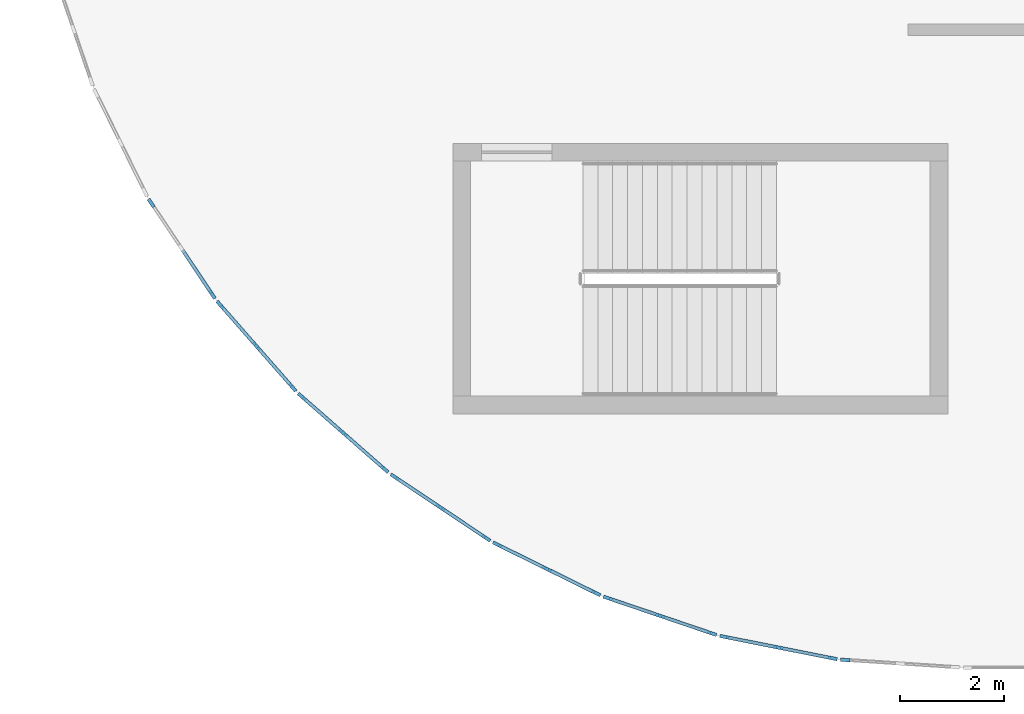
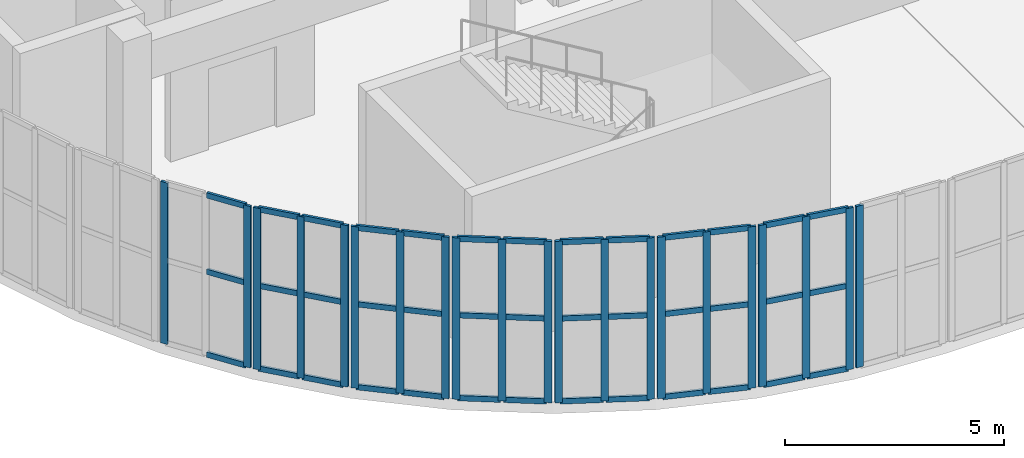
# One storey, part 2 of 28: 60 members, 8 elements without a shape of their own.
"""IFC4 building model written with IfcOpenShell, lengths in metres."""

from ifc_helpers import new_model, si_unit, direction, frame, origin, origin_2d, place, context, subcontext, project, spatial, rectangle, extrude, material, layer, layer_set, material_profile, profile_set, type_object, element, aggregate, save


model = new_model("IFC4")

# Units and contexts
model_context = context("Model", 3, precision=1e-05, world=origin(), true_north=direction((0.0, 1.0)))
body_context = subcontext(model_context, "Body", "Model", "MODEL_VIEW")
ifc_project = project(units=[si_unit("LENGTHUNIT", "METRE"), si_unit("AREAUNIT", "SQUARE_METRE"), si_unit("VOLUMEUNIT", "CUBIC_METRE"), si_unit("PLANEANGLEUNIT", "RADIAN"), si_unit("MASSUNIT", "GRAM", prefix="KILO")], contexts=[model_context])

# Site, building, storey
site_placement = place(None, origin())
site = spatial("IfcSite", under=ifc_project, at=site_placement, CompositionType="ELEMENT")
building_placement = place(site_placement, origin())
building = spatial("IfcBuilding", under=site, at=building_placement, Name="Cendralis Terraced Arcade", CompositionType="ELEMENT")
storey_placement = place(building_placement, frame((0.0, 0.0, 24.60009765625)))
storey = spatial("IfcBuildingStorey", under=building, at=storey_placement, Name="L05", CompositionType="ELEMENT", Elevation=24.60009765625)

# Curtain wall, member
ifc_material = material(Name="Anodised aluminium EN AW-6063 T6", Category="aluminium")
ifc_layer = layer(ifc_material, 0.179931640625, Name="CW-UNIT-A")
ifc_layer_set = layer_set([ifc_layer], Name="Anodised aluminium EN AW-6063 T6")
curtain_wall_type = type_object("IfcCurtainWallType", Name="CW-UNIT-A", PredefinedType="USERDEFINED", material=ifc_layer_set)
curtain_wall_1_placement = place(storey_placement, origin())
curtain_wall_1 = element("IfcCurtainWall", 1, at=curtain_wall_1_placement, inside=storey, type_object=curtain_wall_type, Name="Exterior Unitised Facade CW-L05-0417", ObjectType="UNITISED FACADE", PredefinedType="USERDEFINED")
ifc_material_profile_1 = material_profile(ifc_material, rectangle(XDim=0.06494140625, YDim=0.179931640625, at=origin_2d()), Name="ALU-MUL-65x180")
ifc_profile_set_1 = profile_set([ifc_material_profile_1], Name="Anodised aluminium EN AW-6063 T6")
member_type_1 = type_object("IfcMemberType", Name="CW-UNIT-A-MUL", PredefinedType="MULLION", material=ifc_profile_set_1)
member_1_placement = place(storey_placement, frame((20.772705078125, 5.14599609375, 0.0), z_axis=(0.0, 0.0, 1.0), x_axis=(-0.065392707503, -0.99785960626, 0.0)))
member_1 = element("IfcMember", 2, at=member_1_placement, type_object=member_type_1, Name="CW-U1 mullion 3", PredefinedType="MULLION", context=body_context, shape_type="SweptSolid", body=[
    extrude(rectangle(XDim=0.06494140625, YDim=0.179931640625, at=origin_2d()), origin(), (0.0, 0.0, 1.0), 4.510009765625),
])
aggregate(curtain_wall_1, [member_1])

# Curtain wall, members
curtain_wall_2_placement = place(storey_placement, origin())
curtain_wall_2 = element("IfcCurtainWall", 3, at=curtain_wall_2_placement, inside=storey, type_object=curtain_wall_type, Name="Exterior Unitised Facade CW-L05-0418", ObjectType="UNITISED FACADE", PredefinedType="USERDEFINED")
member_2_placement = place(storey_placement, frame((20.5302734375, 5.177978515625, 0.0), z_axis=(0.0, 0.0, 1.0), x_axis=(-0.195045853998, -0.980794124594, 0.0)))
member_2 = element("IfcMember", 4, at=member_2_placement, type_object=member_type_1, Name="CW-U1 mullion 1", PredefinedType="MULLION", context=body_context, shape_type="SweptSolid", body=[
    extrude(rectangle(XDim=0.06494140625, YDim=0.179931640625, at=origin_2d()), origin(), (0.0, 0.0, 1.0), 4.510009765625),
])
member_3_placement = place(storey_placement, frame((19.495849609375, 5.383544921875, 0.0), z_axis=(0.0, 0.0, 1.0), x_axis=(-0.195045853998, -0.980794124594, 0.0)))
member_3 = element("IfcMember", 5, at=member_3_placement, type_object=member_type_1, Name="CW-U1 mullion 2", PredefinedType="MULLION", context=body_context, shape_type="SweptSolid", body=[
    extrude(rectangle(XDim=0.06494140625, YDim=0.179931640625, at=origin_2d()), origin(), (0.0, 0.0, 1.0), 4.510009765625),
])
member_4_placement = place(storey_placement, frame((18.46142578125, 5.58935546875, 0.0), z_axis=(0.0, 0.0, 1.0), x_axis=(-0.195045853998, -0.980794124594, 0.0)))
member_4 = element("IfcMember", 6, at=member_4_placement, type_object=member_type_1, Name="CW-U1 mullion 3", PredefinedType="MULLION", context=body_context, shape_type="SweptSolid", body=[
    extrude(rectangle(XDim=0.06494140625, YDim=0.179931640625, at=origin_2d()), origin(), (0.0, 0.0, 1.0), 4.510009765625),
])

curtain_wall_3_placement = place(storey_placement, origin())
curtain_wall_3 = element("IfcCurtainWall", 7, at=curtain_wall_3_placement, inside=storey, type_object=curtain_wall_type, Name="Exterior Unitised Facade CW-L05-0419", ObjectType="UNITISED FACADE", PredefinedType="USERDEFINED")
member_5_placement = place(storey_placement, frame((18.225341796875, 5.652587890625, 0.0), z_axis=(0.0, 0.0, 1.0), x_axis=(-0.321478962554, -0.946916721066, 0.0)))
member_5 = element("IfcMember", 8, at=member_5_placement, type_object=member_type_1, Name="CW-U1 mullion 1", PredefinedType="MULLION", context=body_context, shape_type="SweptSolid", body=[
    extrude(rectangle(XDim=0.06494140625, YDim=0.179931640625, at=origin_2d()), origin(), (0.0, 0.0, 1.0), 4.510009765625),
])
member_6_placement = place(storey_placement, frame((17.2265625, 5.99169921875, 0.0), z_axis=(0.0, 0.0, 1.0), x_axis=(-0.321478962554, -0.946916721066, 0.0)))
member_6 = element("IfcMember", 9, at=member_6_placement, type_object=member_type_1, Name="CW-U1 mullion 2", PredefinedType="MULLION", context=body_context, shape_type="SweptSolid", body=[
    extrude(rectangle(XDim=0.06494140625, YDim=0.179931640625, at=origin_2d()), origin(), (0.0, 0.0, 1.0), 4.510009765625),
])
member_7_placement = place(storey_placement, frame((16.227783203125, 6.330810546875, 0.0), z_axis=(0.0, 0.0, 1.0), x_axis=(-0.321478962554, -0.946916721066, 0.0)))
member_7 = element("IfcMember", 10, at=member_7_placement, type_object=member_type_1, Name="CW-U1 mullion 3", PredefinedType="MULLION", context=body_context, shape_type="SweptSolid", body=[
    extrude(rectangle(XDim=0.06494140625, YDim=0.179931640625, at=origin_2d()), origin(), (0.0, 0.0, 1.0), 4.510009765625),
])

curtain_wall_4_placement = place(storey_placement, origin())
curtain_wall_4 = element("IfcCurtainWall", 11, at=curtain_wall_4_placement, inside=storey, type_object=curtain_wall_type, Name="Exterior Unitised Facade CW-L05-0420", ObjectType="UNITISED FACADE", PredefinedType="USERDEFINED")
member_8_placement = place(storey_placement, frame((16.001953125, 6.42431640625, 0.0), z_axis=(0.0, 0.0, 1.0), x_axis=(-0.442258533133, -0.896887612731, 0.0)))
member_8 = element("IfcMember", 12, at=member_8_placement, type_object=member_type_1, Name="CW-U1 mullion 1", PredefinedType="MULLION", context=body_context, shape_type="SweptSolid", body=[
    extrude(rectangle(XDim=0.06494140625, YDim=0.179931640625, at=origin_2d()), origin(), (0.0, 0.0, 1.0), 4.510009765625),
])
member_9_placement = place(storey_placement, frame((15.055908203125, 6.890869140625, 0.0), z_axis=(0.0, 0.0, 1.0), x_axis=(-0.442258533133, -0.896887612731, 0.0)))
member_9 = element("IfcMember", 13, at=member_9_placement, type_object=member_type_1, Name="CW-U1 mullion 2", PredefinedType="MULLION", context=body_context, shape_type="SweptSolid", body=[
    extrude(rectangle(XDim=0.06494140625, YDim=0.179931640625, at=origin_2d()), origin(), (0.0, 0.0, 1.0), 4.510009765625),
])
member_10_placement = place(storey_placement, frame((14.10986328125, 7.357421875, 0.0), z_axis=(0.0, 0.0, 1.0), x_axis=(-0.442258533133, -0.896887612731, 0.0)))
member_10 = element("IfcMember", 14, at=member_10_placement, type_object=member_type_1, Name="CW-U1 mullion 3", PredefinedType="MULLION", context=body_context, shape_type="SweptSolid", body=[
    extrude(rectangle(XDim=0.06494140625, YDim=0.179931640625, at=origin_2d()), origin(), (0.0, 0.0, 1.0), 4.510009765625),
])

curtain_wall_5_placement = place(storey_placement, origin())
curtain_wall_5 = element("IfcCurtainWall", 15, at=curtain_wall_5_placement, inside=storey, type_object=curtain_wall_type, Name="Exterior Unitised Facade CW-L05-0421", ObjectType="UNITISED FACADE", PredefinedType="USERDEFINED")
member_11_placement = place(storey_placement, frame((13.898193359375, 7.4794921875, 0.0), z_axis=(0.0, 0.0, 1.0), x_axis=(-0.555559488738, -0.831476791301, 0.0)))
member_11 = element("IfcMember", 16, at=member_11_placement, type_object=member_type_1, Name="CW-U1 mullion 1", PredefinedType="MULLION", context=body_context, shape_type="SweptSolid", body=[
    extrude(rectangle(XDim=0.06494140625, YDim=0.179931640625, at=origin_2d()), origin(), (0.0, 0.0, 1.0), 4.510009765625),
])
member_12_placement = place(storey_placement, frame((13.021240234375, 8.0654296875, 0.0), z_axis=(0.0, 0.0, 1.0), x_axis=(-0.555559488738, -0.831476791301, 0.0)))
member_12 = element("IfcMember", 17, at=member_12_placement, type_object=member_type_1, Name="CW-U1 mullion 2", PredefinedType="MULLION", context=body_context, shape_type="SweptSolid", body=[
    extrude(rectangle(XDim=0.06494140625, YDim=0.179931640625, at=origin_2d()), origin(), (0.0, 0.0, 1.0), 4.510009765625),
])
member_13_placement = place(storey_placement, frame((12.14404296875, 8.651611328125, 0.0), z_axis=(0.0, 0.0, 1.0), x_axis=(-0.555559488738, -0.831476791301, 0.0)))
member_13 = element("IfcMember", 18, at=member_13_placement, type_object=member_type_1, Name="CW-U1 mullion 3", PredefinedType="MULLION", context=body_context, shape_type="SweptSolid", body=[
    extrude(rectangle(XDim=0.06494140625, YDim=0.179931640625, at=origin_2d()), origin(), (0.0, 0.0, 1.0), 4.510009765625),
])

curtain_wall_6_placement = place(storey_placement, origin())
curtain_wall_6 = element("IfcCurtainWall", 19, at=curtain_wall_6_placement, inside=storey, type_object=curtain_wall_type, Name="Exterior Unitised Facade CW-L05-0422", ObjectType="UNITISED FACADE", PredefinedType="USERDEFINED")
member_14_placement = place(storey_placement, frame((11.9501953125, 8.80029296875, 0.0), z_axis=(0.0, 0.0, 1.0), x_axis=(-0.659402709672, -0.75178990847, 0.0)))
member_14 = element("IfcMember", 20, at=member_14_placement, type_object=member_type_1, Name="CW-U1 mullion 1", PredefinedType="MULLION", context=body_context, shape_type="SweptSolid", body=[
    extrude(rectangle(XDim=0.06494140625, YDim=0.179931640625, at=origin_2d()), origin(), (0.0, 0.0, 1.0), 4.510009765625),
])
member_15_placement = place(storey_placement, frame((11.1572265625, 9.495849609375, 0.0), z_axis=(0.0, 0.0, 1.0), x_axis=(-0.659402709672, -0.75178990847, 0.0)))
member_15 = element("IfcMember", 21, at=member_15_placement, type_object=member_type_1, Name="CW-U1 mullion 2", PredefinedType="MULLION", context=body_context, shape_type="SweptSolid", body=[
    extrude(rectangle(XDim=0.06494140625, YDim=0.179931640625, at=origin_2d()), origin(), (0.0, 0.0, 1.0), 4.510009765625),
])
member_16_placement = place(storey_placement, frame((10.3642578125, 10.19140625, 0.0), z_axis=(0.0, 0.0, 1.0), x_axis=(-0.659402709672, -0.75178990847, 0.0)))
member_16 = element("IfcMember", 22, at=member_16_placement, type_object=member_type_1, Name="CW-U1 mullion 3", PredefinedType="MULLION", context=body_context, shape_type="SweptSolid", body=[
    extrude(rectangle(XDim=0.06494140625, YDim=0.179931640625, at=origin_2d()), origin(), (0.0, 0.0, 1.0), 4.510009765625),
])

curtain_wall_7_placement = place(storey_placement, origin())
curtain_wall_7 = element("IfcCurtainWall", 23, at=curtain_wall_7_placement, inside=storey, type_object=curtain_wall_type, Name="Exterior Unitised Facade CW-L05-0423", ObjectType="UNITISED FACADE", PredefinedType="USERDEFINED")
member_17_placement = place(storey_placement, frame((10.19140625, 10.3642578125, 0.0), z_axis=(0.0, 0.0, 1.0), x_axis=(-0.75178990847, -0.659402709672, 0.0)))
member_17 = element("IfcMember", 24, at=member_17_placement, type_object=member_type_1, Name="CW-U1 mullion 1", PredefinedType="MULLION", context=body_context, shape_type="SweptSolid", body=[
    extrude(rectangle(XDim=0.06494140625, YDim=0.179931640625, at=origin_2d()), origin(), (0.0, 0.0, 1.0), 4.510009765625),
])
member_18_placement = place(storey_placement, frame((9.495849609375, 11.1572265625, 0.0), z_axis=(0.0, 0.0, 1.0), x_axis=(-0.75178990847, -0.659402709672, 0.0)))
member_18 = element("IfcMember", 25, at=member_18_placement, type_object=member_type_1, Name="CW-U1 mullion 2", PredefinedType="MULLION", context=body_context, shape_type="SweptSolid", body=[
    extrude(rectangle(XDim=0.06494140625, YDim=0.179931640625, at=origin_2d()), origin(), (0.0, 0.0, 1.0), 4.510009765625),
])
member_19_placement = place(storey_placement, frame((8.80029296875, 11.9501953125, 0.0), z_axis=(0.0, 0.0, 1.0), x_axis=(-0.75178990847, -0.659402709672, 0.0)))
member_19 = element("IfcMember", 26, at=member_19_placement, type_object=member_type_1, Name="CW-U1 mullion 3", PredefinedType="MULLION", context=body_context, shape_type="SweptSolid", body=[
    extrude(rectangle(XDim=0.06494140625, YDim=0.179931640625, at=origin_2d()), origin(), (0.0, 0.0, 1.0), 4.510009765625),
])

curtain_wall_8_placement = place(storey_placement, origin())
curtain_wall_8 = element("IfcCurtainWall", 27, at=curtain_wall_8_placement, inside=storey, type_object=curtain_wall_type, Name="Exterior Unitised Facade CW-L05-0424", ObjectType="UNITISED FACADE", PredefinedType="USERDEFINED")
member_20_placement = place(storey_placement, frame((8.651611328125, 12.14404296875, 0.0), z_axis=(0.0, 0.0, 1.0), x_axis=(-0.831476791301, -0.555559488738, 0.0)))
member_20 = element("IfcMember", 28, at=member_20_placement, type_object=member_type_1, Name="CW-U1 mullion 1", PredefinedType="MULLION", context=body_context, shape_type="SweptSolid", body=[
    extrude(rectangle(XDim=0.06494140625, YDim=0.179931640625, at=origin_2d()), origin(), (0.0, 0.0, 1.0), 4.510009765625),
])
member_21_placement = place(storey_placement, frame((7.4794921875, 13.898193359375, 0.0), z_axis=(0.0, 0.0, 1.0), x_axis=(-0.831476791301, -0.555559488738, 0.0)))
member_21 = element("IfcMember", 29, at=member_21_placement, type_object=member_type_1, Name="CW-U1 mullion 3", PredefinedType="MULLION", context=body_context, shape_type="SweptSolid", body=[
    extrude(rectangle(XDim=0.06494140625, YDim=0.179931640625, at=origin_2d()), origin(), (0.0, 0.0, 1.0), 4.510009765625),
])

# Member
ifc_material_profile_2 = material_profile(ifc_material, rectangle(XDim=0.06494140625, YDim=0.14990234375, at=origin_2d()), Name="ALU-TRN-65x150")
ifc_profile_set_2 = profile_set([ifc_material_profile_2], Name="Anodised aluminium EN AW-6063 T6")
member_type_2 = type_object("IfcMemberType", Name="CW-UNIT-A-TRN", PredefinedType="USERDEFINED", material=ifc_profile_set_2)
member_22_placement = place(storey_placement, frame((20.49853515625, 5.184326171875, 0.032470703125), z_axis=(-0.980826586714, 0.194882546153, 0.0), x_axis=(-0.194882546153, -0.980826586714, 0.0)))
member_22 = element("IfcMember", 30, at=member_22_placement, type_object=member_type_2, Name="CW-U1 transom 1.1", ObjectType="TRANSOM", PredefinedType="USERDEFINED", context=body_context, shape_type="SweptSolid", body=[
    extrude(rectangle(XDim=0.06494140625, YDim=0.14990234375, at=origin_2d()), origin(), (0.0, 0.0, 1.0), 0.98974609375),
])

member_23_placement = place(storey_placement, frame((20.49853515625, 5.184326171875, 2.34521484375), z_axis=(-0.980826586714, 0.194882546153, 0.0), x_axis=(-0.194882546153, -0.980826586714, 0.0)))
member_23 = element("IfcMember", 31, at=member_23_placement, type_object=member_type_2, Name="CW-U1 transom 1.2", ObjectType="TRANSOM", PredefinedType="USERDEFINED", context=body_context, shape_type="SweptSolid", body=[
    extrude(rectangle(XDim=0.06494140625, YDim=0.14990234375, at=origin_2d()), origin(), (0.0, 0.0, 1.0), 0.98974609375),
])

member_24_placement = place(storey_placement, frame((20.49853515625, 5.184326171875, 4.477294921875), z_axis=(-0.980826586714, 0.194882546153, 0.0), x_axis=(-0.194882546153, -0.980826586714, 0.0)))
member_24 = element("IfcMember", 32, at=member_24_placement, type_object=member_type_2, Name="CW-U1 transom 1.3", ObjectType="TRANSOM", PredefinedType="USERDEFINED", context=body_context, shape_type="SweptSolid", body=[
    extrude(rectangle(XDim=0.06494140625, YDim=0.14990234375, at=origin_2d()), origin(), (0.0, 0.0, 1.0), 0.98974609375),
])

member_25_placement = place(storey_placement, frame((19.464111328125, 5.389892578125, 0.032470703125), z_axis=(-0.98077940709, 0.195119846833, 0.0), x_axis=(-0.195119846833, -0.98077940709, 0.0)))
member_25 = element("IfcMember", 33, at=member_25_placement, type_object=member_type_2, Name="CW-U1 transom 2.1", ObjectType="TRANSOM", PredefinedType="USERDEFINED", context=body_context, shape_type="SweptSolid", body=[
    extrude(rectangle(XDim=0.06494140625, YDim=0.14990234375, at=origin_2d()), origin(), (0.0, 0.0, 1.0), 0.98974609375),
])

member_26_placement = place(storey_placement, frame((19.464111328125, 5.389892578125, 2.34521484375), z_axis=(-0.98077940709, 0.195119846833, 0.0), x_axis=(-0.195119846833, -0.98077940709, 0.0)))
member_26 = element("IfcMember", 34, at=member_26_placement, type_object=member_type_2, Name="CW-U1 transom 2.2", ObjectType="TRANSOM", PredefinedType="USERDEFINED", context=body_context, shape_type="SweptSolid", body=[
    extrude(rectangle(XDim=0.06494140625, YDim=0.14990234375, at=origin_2d()), origin(), (0.0, 0.0, 1.0), 0.98974609375),
])

member_27_placement = place(storey_placement, frame((19.464111328125, 5.389892578125, 4.477294921875), z_axis=(-0.98077940709, 0.195119846833, 0.0), x_axis=(-0.195119846833, -0.98077940709, 0.0)))
member_27 = element("IfcMember", 35, at=member_27_placement, type_object=member_type_2, Name="CW-U1 transom 2.3", ObjectType="TRANSOM", PredefinedType="USERDEFINED", context=body_context, shape_type="SweptSolid", body=[
    extrude(rectangle(XDim=0.06494140625, YDim=0.14990234375, at=origin_2d()), origin(), (0.0, 0.0, 1.0), 0.98974609375),
])

aggregate(curtain_wall_2, [member_2, member_3, member_4, member_22, member_23, member_24, member_25, member_26, member_27])

member_28_placement = place(storey_placement, frame((18.194580078125, 5.6630859375, 0.032470703125), z_axis=(-0.946942509421, 0.321402992909, 0.0), x_axis=(-0.321402992909, -0.946942509421, 0.0)))
member_28 = element("IfcMember", 36, at=member_28_placement, type_object=member_type_2, Name="CW-U1 transom 1.1", ObjectType="TRANSOM", PredefinedType="USERDEFINED", context=body_context, shape_type="SweptSolid", body=[
    extrude(rectangle(XDim=0.06494140625, YDim=0.14990234375, at=origin_2d()), origin(), (0.0, 0.0, 1.0), 0.98974609375),
])

member_29_placement = place(storey_placement, frame((18.194580078125, 5.6630859375, 2.34521484375), z_axis=(-0.946942509421, 0.321402992909, 0.0), x_axis=(-0.321402992909, -0.946942509421, 0.0)))
member_29 = element("IfcMember", 37, at=member_29_placement, type_object=member_type_2, Name="CW-U1 transom 1.2", ObjectType="TRANSOM", PredefinedType="USERDEFINED", context=body_context, shape_type="SweptSolid", body=[
    extrude(rectangle(XDim=0.06494140625, YDim=0.14990234375, at=origin_2d()), origin(), (0.0, 0.0, 1.0), 0.98974609375),
])

member_30_placement = place(storey_placement, frame((18.194580078125, 5.6630859375, 4.477294921875), z_axis=(-0.946942509421, 0.321402992909, 0.0), x_axis=(-0.321402992909, -0.946942509421, 0.0)))
member_30 = element("IfcMember", 38, at=member_30_placement, type_object=member_type_2, Name="CW-U1 transom 1.3", ObjectType="TRANSOM", PredefinedType="USERDEFINED", context=body_context, shape_type="SweptSolid", body=[
    extrude(rectangle(XDim=0.06494140625, YDim=0.14990234375, at=origin_2d()), origin(), (0.0, 0.0, 1.0), 0.98974609375),
])

member_31_placement = place(storey_placement, frame((17.19580078125, 6.002197265625, 0.032470703125), z_axis=(-0.946942509421, 0.321402992909, 0.0), x_axis=(-0.321402992909, -0.946942509421, 0.0)))
member_31 = element("IfcMember", 39, at=member_31_placement, type_object=member_type_2, Name="CW-U1 transom 2.1", ObjectType="TRANSOM", PredefinedType="USERDEFINED", context=body_context, shape_type="SweptSolid", body=[
    extrude(rectangle(XDim=0.06494140625, YDim=0.14990234375, at=origin_2d()), origin(), (0.0, 0.0, 1.0), 0.98974609375),
])

member_32_placement = place(storey_placement, frame((17.19580078125, 6.002197265625, 2.34521484375), z_axis=(-0.946942509421, 0.321402992909, 0.0), x_axis=(-0.321402992909, -0.946942509421, 0.0)))
member_32 = element("IfcMember", 40, at=member_32_placement, type_object=member_type_2, Name="CW-U1 transom 2.2", ObjectType="TRANSOM", PredefinedType="USERDEFINED", context=body_context, shape_type="SweptSolid", body=[
    extrude(rectangle(XDim=0.06494140625, YDim=0.14990234375, at=origin_2d()), origin(), (0.0, 0.0, 1.0), 0.98974609375),
])

member_33_placement = place(storey_placement, frame((17.19580078125, 6.002197265625, 4.477294921875), z_axis=(-0.946942509421, 0.321402992909, 0.0), x_axis=(-0.321402992909, -0.946942509421, 0.0)))
member_33 = element("IfcMember", 41, at=member_33_placement, type_object=member_type_2, Name="CW-U1 transom 2.3", ObjectType="TRANSOM", PredefinedType="USERDEFINED", context=body_context, shape_type="SweptSolid", body=[
    extrude(rectangle(XDim=0.06494140625, YDim=0.14990234375, at=origin_2d()), origin(), (0.0, 0.0, 1.0), 0.98974609375),
])

aggregate(curtain_wall_3, [member_5, member_6, member_7, member_28, member_29, member_30, member_31, member_32, member_33])

member_34_placement = place(storey_placement, frame((15.97265625, 6.438720703125, 0.032470703125), z_axis=(-0.89688025302, 0.442273458104, 0.0), x_axis=(-0.442273458104, -0.89688025302, 0.0)))
member_34 = element("IfcMember", 42, at=member_34_placement, type_object=member_type_2, Name="CW-U1 transom 1.1", ObjectType="TRANSOM", PredefinedType="USERDEFINED", context=body_context, shape_type="SweptSolid", body=[
    extrude(rectangle(XDim=0.06494140625, YDim=0.14990234375, at=origin_2d()), origin(), (0.0, 0.0, 1.0), 0.98974609375),
])

member_35_placement = place(storey_placement, frame((15.97265625, 6.438720703125, 2.34521484375), z_axis=(-0.89688025302, 0.442273458104, 0.0), x_axis=(-0.442273458104, -0.89688025302, 0.0)))
member_35 = element("IfcMember", 43, at=member_35_placement, type_object=member_type_2, Name="CW-U1 transom 1.2", ObjectType="TRANSOM", PredefinedType="USERDEFINED", context=body_context, shape_type="SweptSolid", body=[
    extrude(rectangle(XDim=0.06494140625, YDim=0.14990234375, at=origin_2d()), origin(), (0.0, 0.0, 1.0), 0.98974609375),
])

member_36_placement = place(storey_placement, frame((15.97265625, 6.438720703125, 4.477294921875), z_axis=(-0.89688025302, 0.442273458104, 0.0), x_axis=(-0.442273458104, -0.89688025302, 0.0)))
member_36 = element("IfcMember", 44, at=member_36_placement, type_object=member_type_2, Name="CW-U1 transom 1.3", ObjectType="TRANSOM", PredefinedType="USERDEFINED", context=body_context, shape_type="SweptSolid", body=[
    extrude(rectangle(XDim=0.06494140625, YDim=0.14990234375, at=origin_2d()), origin(), (0.0, 0.0, 1.0), 0.98974609375),
])

member_37_placement = place(storey_placement, frame((15.026611328125, 6.9052734375, 0.032470703125), z_axis=(-0.89688025302, 0.442273458104, 0.0), x_axis=(-0.442273458104, -0.89688025302, 0.0)))
member_37 = element("IfcMember", 45, at=member_37_placement, type_object=member_type_2, Name="CW-U1 transom 2.1", ObjectType="TRANSOM", PredefinedType="USERDEFINED", context=body_context, shape_type="SweptSolid", body=[
    extrude(rectangle(XDim=0.06494140625, YDim=0.14990234375, at=origin_2d()), origin(), (0.0, 0.0, 1.0), 0.98974609375),
])

member_38_placement = place(storey_placement, frame((15.026611328125, 6.9052734375, 2.34521484375), z_axis=(-0.89688025302, 0.442273458104, 0.0), x_axis=(-0.442273458104, -0.89688025302, 0.0)))
member_38 = element("IfcMember", 46, at=member_38_placement, type_object=member_type_2, Name="CW-U1 transom 2.2", ObjectType="TRANSOM", PredefinedType="USERDEFINED", context=body_context, shape_type="SweptSolid", body=[
    extrude(rectangle(XDim=0.06494140625, YDim=0.14990234375, at=origin_2d()), origin(), (0.0, 0.0, 1.0), 0.98974609375),
])

member_39_placement = place(storey_placement, frame((15.026611328125, 6.9052734375, 4.477294921875), z_axis=(-0.89688025302, 0.442273458104, 0.0), x_axis=(-0.442273458104, -0.89688025302, 0.0)))
member_39 = element("IfcMember", 47, at=member_39_placement, type_object=member_type_2, Name="CW-U1 transom 2.3", ObjectType="TRANSOM", PredefinedType="USERDEFINED", context=body_context, shape_type="SweptSolid", body=[
    extrude(rectangle(XDim=0.06494140625, YDim=0.14990234375, at=origin_2d()), origin(), (0.0, 0.0, 1.0), 0.98974609375),
])

aggregate(curtain_wall_4, [member_8, member_9, member_10, member_34, member_35, member_36, member_37, member_38, member_39])

member_40_placement = place(storey_placement, frame((13.87109375, 7.49755859375, 0.032470703125), z_axis=(-0.831404687849, 0.555667387043, 0.0), x_axis=(-0.555667387043, -0.831404687849, 0.0)))
member_40 = element("IfcMember", 48, at=member_40_placement, type_object=member_type_2, Name="CW-U1 transom 1.1", ObjectType="TRANSOM", PredefinedType="USERDEFINED", context=body_context, shape_type="SweptSolid", body=[
    extrude(rectangle(XDim=0.06494140625, YDim=0.14990234375, at=origin_2d()), origin(), (0.0, 0.0, 1.0), 0.989990234375),
])

member_41_placement = place(storey_placement, frame((13.87109375, 7.49755859375, 2.34521484375), z_axis=(-0.831404687849, 0.555667387043, 0.0), x_axis=(-0.555667387043, -0.831404687849, 0.0)))
member_41 = element("IfcMember", 49, at=member_41_placement, type_object=member_type_2, Name="CW-U1 transom 1.2", ObjectType="TRANSOM", PredefinedType="USERDEFINED", context=body_context, shape_type="SweptSolid", body=[
    extrude(rectangle(XDim=0.06494140625, YDim=0.14990234375, at=origin_2d()), origin(), (0.0, 0.0, 1.0), 0.989990234375),
])

member_42_placement = place(storey_placement, frame((13.87109375, 7.49755859375, 4.477294921875), z_axis=(-0.831404687849, 0.555667387043, 0.0), x_axis=(-0.555667387043, -0.831404687849, 0.0)))
member_42 = element("IfcMember", 50, at=member_42_placement, type_object=member_type_2, Name="CW-U1 transom 1.3", ObjectType="TRANSOM", PredefinedType="USERDEFINED", context=body_context, shape_type="SweptSolid", body=[
    extrude(rectangle(XDim=0.06494140625, YDim=0.14990234375, at=origin_2d()), origin(), (0.0, 0.0, 1.0), 0.989990234375),
])

member_43_placement = place(storey_placement, frame((12.994140625, 8.08349609375, 0.032470703125), z_axis=(-0.831404687849, 0.555667387043, 0.0), x_axis=(-0.555667387043, -0.831404687849, 0.0)))
member_43 = element("IfcMember", 51, at=member_43_placement, type_object=member_type_2, Name="CW-U1 transom 2.1", ObjectType="TRANSOM", PredefinedType="USERDEFINED", context=body_context, shape_type="SweptSolid", body=[
    extrude(rectangle(XDim=0.06494140625, YDim=0.14990234375, at=origin_2d()), origin(), (0.0, 0.0, 1.0), 0.989990234375),
])

member_44_placement = place(storey_placement, frame((12.994140625, 8.08349609375, 2.34521484375), z_axis=(-0.831404687849, 0.555667387043, 0.0), x_axis=(-0.555667387043, -0.831404687849, 0.0)))
member_44 = element("IfcMember", 52, at=member_44_placement, type_object=member_type_2, Name="CW-U1 transom 2.2", ObjectType="TRANSOM", PredefinedType="USERDEFINED", context=body_context, shape_type="SweptSolid", body=[
    extrude(rectangle(XDim=0.06494140625, YDim=0.14990234375, at=origin_2d()), origin(), (0.0, 0.0, 1.0), 0.989990234375),
])

member_45_placement = place(storey_placement, frame((12.994140625, 8.08349609375, 4.477294921875), z_axis=(-0.831404687849, 0.555667387043, 0.0), x_axis=(-0.555667387043, -0.831404687849, 0.0)))
member_45 = element("IfcMember", 53, at=member_45_placement, type_object=member_type_2, Name="CW-U1 transom 2.3", ObjectType="TRANSOM", PredefinedType="USERDEFINED", context=body_context, shape_type="SweptSolid", body=[
    extrude(rectangle(XDim=0.06494140625, YDim=0.14990234375, at=origin_2d()), origin(), (0.0, 0.0, 1.0), 0.989990234375),
])

aggregate(curtain_wall_5, [member_11, member_12, member_13, member_40, member_41, member_42, member_43, member_44, member_45])

member_46_placement = place(storey_placement, frame((11.92578125, 8.82177734375, 0.032470703125), z_axis=(-0.751842773854, 0.659342432582, 0.0), x_axis=(-0.659342432582, -0.751842773854, 0.0)))
member_46 = element("IfcMember", 54, at=member_46_placement, type_object=member_type_2, Name="CW-U1 transom 1.1", ObjectType="TRANSOM", PredefinedType="USERDEFINED", context=body_context, shape_type="SweptSolid", body=[
    extrude(rectangle(XDim=0.06494140625, YDim=0.14990234375, at=origin_2d()), origin(), (0.0, 0.0, 1.0), 0.98974609375),
])

member_47_placement = place(storey_placement, frame((11.92578125, 8.82177734375, 2.34521484375), z_axis=(-0.751842773854, 0.659342432582, 0.0), x_axis=(-0.659342432582, -0.751842773854, 0.0)))
member_47 = element("IfcMember", 55, at=member_47_placement, type_object=member_type_2, Name="CW-U1 transom 1.2", ObjectType="TRANSOM", PredefinedType="USERDEFINED", context=body_context, shape_type="SweptSolid", body=[
    extrude(rectangle(XDim=0.06494140625, YDim=0.14990234375, at=origin_2d()), origin(), (0.0, 0.0, 1.0), 0.98974609375),
])

member_48_placement = place(storey_placement, frame((11.92578125, 8.82177734375, 4.477294921875), z_axis=(-0.751842773854, 0.659342432582, 0.0), x_axis=(-0.659342432582, -0.751842773854, 0.0)))
member_48 = element("IfcMember", 56, at=member_48_placement, type_object=member_type_2, Name="CW-U1 transom 1.3", ObjectType="TRANSOM", PredefinedType="USERDEFINED", context=body_context, shape_type="SweptSolid", body=[
    extrude(rectangle(XDim=0.06494140625, YDim=0.14990234375, at=origin_2d()), origin(), (0.0, 0.0, 1.0), 0.98974609375),
])

member_49_placement = place(storey_placement, frame((11.1328125, 9.517333984375, 0.032470703125), z_axis=(-0.751842773854, 0.659342432582, 0.0), x_axis=(-0.659342432582, -0.751842773854, 0.0)))
member_49 = element("IfcMember", 57, at=member_49_placement, type_object=member_type_2, Name="CW-U1 transom 2.1", ObjectType="TRANSOM", PredefinedType="USERDEFINED", context=body_context, shape_type="SweptSolid", body=[
    extrude(rectangle(XDim=0.06494140625, YDim=0.14990234375, at=origin_2d()), origin(), (0.0, 0.0, 1.0), 0.98974609375),
])

member_50_placement = place(storey_placement, frame((11.1328125, 9.517333984375, 2.34521484375), z_axis=(-0.751842773854, 0.659342432582, 0.0), x_axis=(-0.659342432582, -0.751842773854, 0.0)))
member_50 = element("IfcMember", 58, at=member_50_placement, type_object=member_type_2, Name="CW-U1 transom 2.2", ObjectType="TRANSOM", PredefinedType="USERDEFINED", context=body_context, shape_type="SweptSolid", body=[
    extrude(rectangle(XDim=0.06494140625, YDim=0.14990234375, at=origin_2d()), origin(), (0.0, 0.0, 1.0), 0.98974609375),
])

member_51_placement = place(storey_placement, frame((11.1328125, 9.517333984375, 4.477294921875), z_axis=(-0.751842773854, 0.659342432582, 0.0), x_axis=(-0.659342432582, -0.751842773854, 0.0)))
member_51 = element("IfcMember", 59, at=member_51_placement, type_object=member_type_2, Name="CW-U1 transom 2.3", ObjectType="TRANSOM", PredefinedType="USERDEFINED", context=body_context, shape_type="SweptSolid", body=[
    extrude(rectangle(XDim=0.06494140625, YDim=0.14990234375, at=origin_2d()), origin(), (0.0, 0.0, 1.0), 0.98974609375),
])

aggregate(curtain_wall_6, [member_14, member_15, member_16, member_46, member_47, member_48, member_49, member_50, member_51])

member_52_placement = place(storey_placement, frame((10.169921875, 10.388671875, 0.032470703125), z_axis=(-0.659342432582, 0.751842773854, 0.0), x_axis=(-0.751842773854, -0.659342432582, 0.0)))
member_52 = element("IfcMember", 60, at=member_52_placement, type_object=member_type_2, Name="CW-U1 transom 1.1", ObjectType="TRANSOM", PredefinedType="USERDEFINED", context=body_context, shape_type="SweptSolid", body=[
    extrude(rectangle(XDim=0.06494140625, YDim=0.14990234375, at=origin_2d()), origin(), (0.0, 0.0, 1.0), 0.98974609375),
])

member_53_placement = place(storey_placement, frame((10.169921875, 10.388671875, 2.34521484375), z_axis=(-0.659342432582, 0.751842773854, 0.0), x_axis=(-0.751842773854, -0.659342432582, 0.0)))
member_53 = element("IfcMember", 61, at=member_53_placement, type_object=member_type_2, Name="CW-U1 transom 1.2", ObjectType="TRANSOM", PredefinedType="USERDEFINED", context=body_context, shape_type="SweptSolid", body=[
    extrude(rectangle(XDim=0.06494140625, YDim=0.14990234375, at=origin_2d()), origin(), (0.0, 0.0, 1.0), 0.98974609375),
])

member_54_placement = place(storey_placement, frame((10.169921875, 10.388671875, 4.477294921875), z_axis=(-0.659342432582, 0.751842773854, 0.0), x_axis=(-0.751842773854, -0.659342432582, 0.0)))
member_54 = element("IfcMember", 62, at=member_54_placement, type_object=member_type_2, Name="CW-U1 transom 1.3", ObjectType="TRANSOM", PredefinedType="USERDEFINED", context=body_context, shape_type="SweptSolid", body=[
    extrude(rectangle(XDim=0.06494140625, YDim=0.14990234375, at=origin_2d()), origin(), (0.0, 0.0, 1.0), 0.98974609375),
])

member_55_placement = place(storey_placement, frame((9.474365234375, 11.181640625, 0.032470703125), z_axis=(-0.659342432582, 0.751842773854, 0.0), x_axis=(-0.751842773854, -0.659342432582, 0.0)))
member_55 = element("IfcMember", 63, at=member_55_placement, type_object=member_type_2, Name="CW-U1 transom 2.1", ObjectType="TRANSOM", PredefinedType="USERDEFINED", context=body_context, shape_type="SweptSolid", body=[
    extrude(rectangle(XDim=0.06494140625, YDim=0.14990234375, at=origin_2d()), origin(), (0.0, 0.0, 1.0), 0.98974609375),
])

member_56_placement = place(storey_placement, frame((9.474365234375, 11.181640625, 2.34521484375), z_axis=(-0.659342432582, 0.751842773854, 0.0), x_axis=(-0.751842773854, -0.659342432582, 0.0)))
member_56 = element("IfcMember", 64, at=member_56_placement, type_object=member_type_2, Name="CW-U1 transom 2.2", ObjectType="TRANSOM", PredefinedType="USERDEFINED", context=body_context, shape_type="SweptSolid", body=[
    extrude(rectangle(XDim=0.06494140625, YDim=0.14990234375, at=origin_2d()), origin(), (0.0, 0.0, 1.0), 0.98974609375),
])

member_57_placement = place(storey_placement, frame((9.474365234375, 11.181640625, 4.477294921875), z_axis=(-0.659342432582, 0.751842773854, 0.0), x_axis=(-0.751842773854, -0.659342432582, 0.0)))
member_57 = element("IfcMember", 65, at=member_57_placement, type_object=member_type_2, Name="CW-U1 transom 2.3", ObjectType="TRANSOM", PredefinedType="USERDEFINED", context=body_context, shape_type="SweptSolid", body=[
    extrude(rectangle(XDim=0.06494140625, YDim=0.14990234375, at=origin_2d()), origin(), (0.0, 0.0, 1.0), 0.98974609375),
])

aggregate(curtain_wall_7, [member_17, member_18, member_19, member_52, member_53, member_54, member_55, member_56, member_57])

member_58_placement = place(storey_placement, frame((8.633544921875, 12.171142578125, 0.032470703125), z_axis=(-0.555667387043, 0.831404687849, 0.0), x_axis=(-0.831404687849, -0.555667387043, 0.0)))
member_58 = element("IfcMember", 66, at=member_58_placement, type_object=member_type_2, Name="CW-U1 transom 1.1", ObjectType="TRANSOM", PredefinedType="USERDEFINED", context=body_context, shape_type="SweptSolid", body=[
    extrude(rectangle(XDim=0.06494140625, YDim=0.14990234375, at=origin_2d()), origin(), (0.0, 0.0, 1.0), 0.989990234375),
])

member_59_placement = place(storey_placement, frame((8.633544921875, 12.171142578125, 2.34521484375), z_axis=(-0.555667387043, 0.831404687849, 0.0), x_axis=(-0.831404687849, -0.555667387043, 0.0)))
member_59 = element("IfcMember", 67, at=member_59_placement, type_object=member_type_2, Name="CW-U1 transom 1.2", ObjectType="TRANSOM", PredefinedType="USERDEFINED", context=body_context, shape_type="SweptSolid", body=[
    extrude(rectangle(XDim=0.06494140625, YDim=0.14990234375, at=origin_2d()), origin(), (0.0, 0.0, 1.0), 0.989990234375),
])

member_60_placement = place(storey_placement, frame((8.633544921875, 12.171142578125, 4.477294921875), z_axis=(-0.555667387043, 0.831404687849, 0.0), x_axis=(-0.831404687849, -0.555667387043, 0.0)))
member_60 = element("IfcMember", 68, at=member_60_placement, type_object=member_type_2, Name="CW-U1 transom 1.3", ObjectType="TRANSOM", PredefinedType="USERDEFINED", context=body_context, shape_type="SweptSolid", body=[
    extrude(rectangle(XDim=0.06494140625, YDim=0.14990234375, at=origin_2d()), origin(), (0.0, 0.0, 1.0), 0.989990234375),
])

aggregate(curtain_wall_8, [member_20, member_21, member_58, member_59, member_60])

save(model, "model.ifc")
